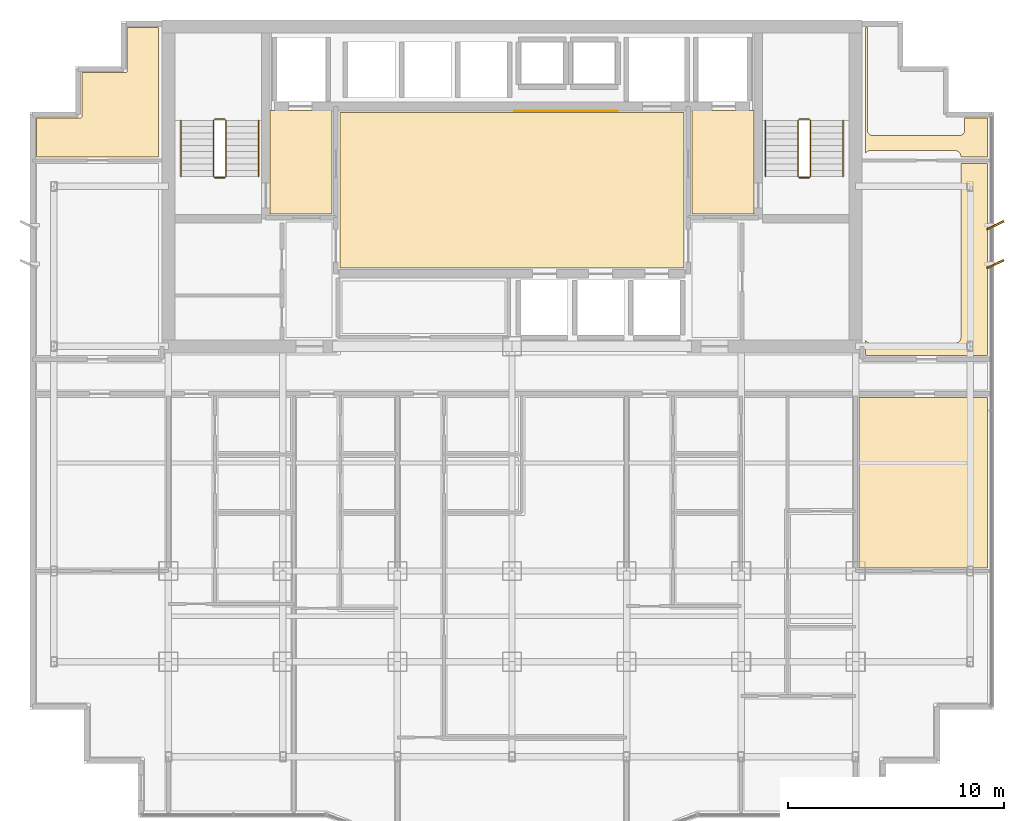
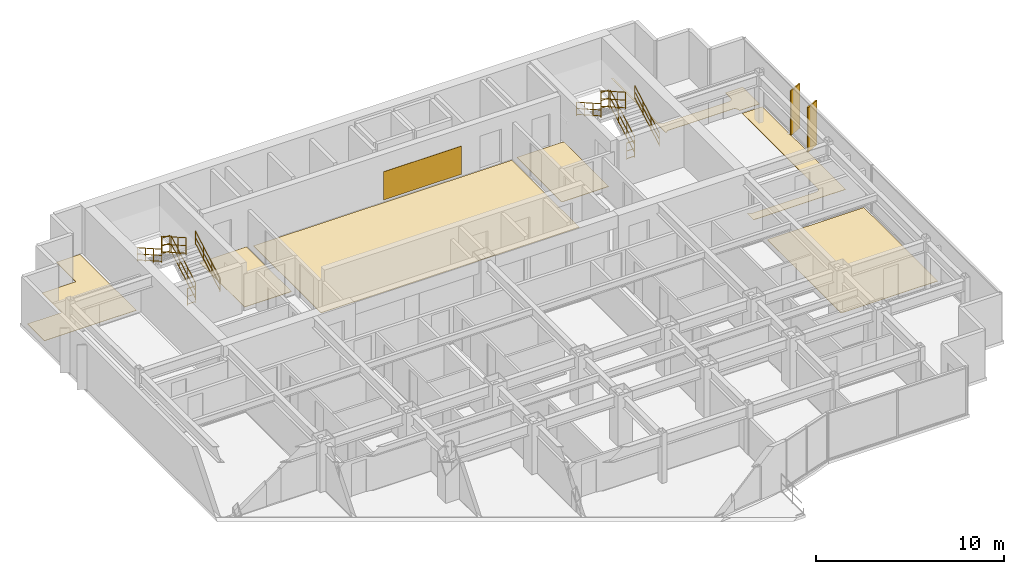
# One storey, part 13 of 13: 12 railings, 8 coverings, 2 shading devices.
"""IFC4 building model written with IfcOpenShell, lengths in metres."""

import ifcopenshell
import ifcopenshell.guid

model = None  # the IFC model being written
_history = None  # IfcOwnerHistory: only IFC2X3 demands one
_inside = {}  # id of a spatial element -> (the spatial element, [elements in it])
_under = {}  # id of a project, library or spatial element -> (it, [spatial elements below it])
_declared = {}  # id of a project -> (the project, [libraries it declares])
_typed = {}  # id of a type object -> (the type object, [elements of that type])
_made_of = {}  # id of a material, layer set ... -> (it, [elements and type objects made of it])


def new_model(schema):
    """Start an empty IFC model of exactly this schema.

    Asked for "IFC4X3", IfcOpenShell would pick the latest addendum, in which some entities
    have other attributes; the version numbers below select the first issue.
    IFC2X3 requires an IfcOwnerHistory on every rooted entity: one is made here for all.
    """
    global model, _history
    if schema == "IFC4X3":
        model = ifcopenshell.file(schema_version=(4, 3, 0, 0))
    else:
        model = ifcopenshell.file(schema=schema)
    _inside.clear()
    _under.clear()
    _declared.clear()
    _typed.clear()
    _made_of.clear()
    _history = None
    if model.schema == "IFC2X3":
        org = make("IfcOrganization", Name="unknown")
        user = make(
            "IfcPersonAndOrganization",
            ThePerson=make("IfcPerson", FamilyName="unknown"),
            TheOrganization=org,
        )
        app = make(
            "IfcApplication",
            ApplicationDeveloper=org,
            Version="unknown",
            ApplicationFullName="unknown",
            ApplicationIdentifier="unknown",
        )
        _history = make(
            "IfcOwnerHistory",
            OwningUser=user,
            OwningApplication=app,
            ChangeAction="ADDED",
            CreationDate=0,
        )
    return model


def make(cls, **values):
    """One entity of the class cls with the attributes given. An attribute that is None is left unset."""
    return model.create_entity(
        cls, **{name: value for name, value in values.items() if value is not None}
    )


def rooted(cls, **values):
    """An entity with a GlobalId (a new one), such as an element, a storey or a relation."""
    return make(cls, GlobalId=ifcopenshell.guid.new(), OwnerHistory=_history, **values)


def si_unit(unit_type, name, prefix=None):
    """IfcSIUnit, for example si_unit("LENGTHUNIT", "METRE", prefix="MILLI")."""
    return make("IfcSIUnit", UnitType=unit_type, Prefix=prefix, Name=name)


def assignment(units):
    """IfcUnitAssignment: the units of a project."""
    return None if units is None else make("IfcUnitAssignment", Units=units)


def point(xyz):
    """IfcCartesianPoint."""
    return None if xyz is None else make("IfcCartesianPoint", Coordinates=xyz)


def direction(xyz):
    """IfcDirection."""
    return None if xyz is None else make("IfcDirection", DirectionRatios=xyz)


def frame(location, z_axis=None, x_axis=None):
    """IfcAxis2Placement3D, a coordinate frame: its origin and axes. An axis left out is left unset."""
    return make(
        "IfcAxis2Placement3D",
        Location=point(location),
        Axis=direction(z_axis),
        RefDirection=direction(x_axis),
    )


def frame_2d(location, x_axis=None):
    """IfcAxis2Placement2D, a coordinate frame in the plane: its origin and x axis."""
    return make(
        "IfcAxis2Placement2D", Location=point(location), RefDirection=direction(x_axis)
    )


def origin():
    """The frame at (0, 0, 0) with its axes left unset."""
    return frame((0.0, 0.0, 0.0))


def origin_2d():
    """The frame at (0, 0) in the plane with its x axis left unset."""
    return frame_2d((0.0, 0.0))


def place(relative_to, where):
    """IfcLocalPlacement: puts the frame where relative to a parent placement (None: the world)."""
    return make(
        "IfcLocalPlacement", PlacementRelTo=relative_to, RelativePlacement=where
    )


def context(
    kind, dimensions, precision=None, world=None, true_north=None, identifier=None
):
    """IfcGeometricRepresentationContext, for example the 3D "Model" context."""
    return make(
        "IfcGeometricRepresentationContext",
        ContextIdentifier=identifier,
        ContextType=kind,
        CoordinateSpaceDimension=dimensions,
        Precision=precision,
        WorldCoordinateSystem=world,
        TrueNorth=true_north,
    )


def subcontext(parent, identifier, kind, view, scale=None):
    """IfcGeometricRepresentationSubContext, for example "Body" below "Model"."""
    return make(
        "IfcGeometricRepresentationSubContext",
        ContextIdentifier=identifier,
        ContextType=kind,
        ParentContext=parent,
        TargetScale=scale,
        TargetView=view,
    )


def project(units=None, contexts=None):
    """IfcProject with its units and contexts."""
    return rooted(
        "IfcProject",
        Name="project",
        RepresentationContexts=contexts,
        UnitsInContext=assignment(units),
    )


def spatial(cls, under=None, at=None, **own):
    """A site, building, storey or space (cls), placed at a placement, below another one or the project."""
    s = rooted(cls, ObjectPlacement=at, **own)
    if under is not None:
        _under.setdefault(under.id(), (under, []))[1].append(s)
    return s


def polyline(points):
    """IfcPolyline through the points."""
    return make("IfcPolyline", Points=[point(p) for p in points])


def profile(cls, at=None, kind="AREA", **sizes):
    """A parametric profile (cls). Its sizes go by their IFC names, for example OverallWidth=200.0."""
    return make(cls, ProfileType=kind, Position=at, **sizes)


def rectangle(**sizes):
    """IfcRectangleProfileDef."""
    return profile("IfcRectangleProfileDef", **sizes)


def circle(**sizes):
    """IfcCircleProfileDef."""
    return profile("IfcCircleProfileDef", **sizes)


def outline(outer, holes=None, kind="AREA"):
    """IfcArbitraryClosedProfileDef: a profile drawn as a closed curve; with holes, ...WithVoids."""
    if holes is None:
        return make("IfcArbitraryClosedProfileDef", ProfileType=kind, OuterCurve=outer)
    return make(
        "IfcArbitraryProfileDefWithVoids",
        ProfileType=kind,
        OuterCurve=outer,
        InnerCurves=holes,
    )


def extrude(swept, where, along, depth):
    """IfcExtrudedAreaSolid: the profile swept, set in the frame where, extruded along a direction by depth."""
    return make(
        "IfcExtrudedAreaSolid",
        SweptArea=swept,
        Position=where,
        ExtrudedDirection=direction(along),
        Depth=depth,
    )


def shape(context_of_items, identifier, shape_type, items):
    """IfcShapeRepresentation: the items that make up one representation, for example the "Body"."""
    return make(
        "IfcShapeRepresentation",
        ContextOfItems=context_of_items,
        RepresentationIdentifier=identifier,
        RepresentationType=shape_type,
        Items=items,
    )


def source(mapping_origin, context_of_items, identifier, shape_type, items):
    """IfcRepresentationMap: a shape defined once, which mapped items show again and again."""
    return make(
        "IfcRepresentationMap",
        MappingOrigin=mapping_origin,
        MappedRepresentation=shape(context_of_items, identifier, shape_type, items),
    )


def transform(
    local_origin,
    x_axis=None,
    y_axis=None,
    z_axis=None,
    scale=None,
    scale2=None,
    scale3=None,
    uniform=True,
):
    """IfcCartesianTransformationOperator3D, or its non-uniform kind. x_axis, y_axis, z_axis: its Axis1, 2, 3."""
    if uniform:
        return make(
            "IfcCartesianTransformationOperator3D",
            Axis1=direction(x_axis),
            Axis2=direction(y_axis),
            LocalOrigin=point(local_origin),
            Scale=scale,
            Axis3=direction(z_axis),
        )
    return make(
        "IfcCartesianTransformationOperator3DnonUniform",
        Axis1=direction(x_axis),
        Axis2=direction(y_axis),
        LocalOrigin=point(local_origin),
        Scale=scale,
        Axis3=direction(z_axis),
        Scale2=scale2,
        Scale3=scale3,
    )


def mapped(mapping_source, mapping_target):
    """IfcMappedItem: shows the shape of a source again, moved by a transform."""
    return make(
        "IfcMappedItem", MappingSource=mapping_source, MappingTarget=mapping_target
    )


def material(Name=None, Category=None):
    """IfcMaterial."""
    return make("IfcMaterial", Name=Name, Category=Category)


def layer(
    of_material, thickness, ventilated=None, Name=None, Category=None, Priority=None
):
    """IfcMaterialLayer: one layer of a wall or slab, of a material (None: an air gap)."""
    return make(
        "IfcMaterialLayer",
        Material=of_material,
        LayerThickness=thickness,
        IsVentilated=ventilated,
        Name=Name,
        Category=Category,
        Priority=Priority,
    )


def layer_set(layers, Name=None):
    """IfcMaterialLayerSet."""
    return make("IfcMaterialLayerSet", MaterialLayers=layers, LayerSetName=Name)


def made_of(thing, what):
    """Note that an element or type object is made of a material, layer set ...; save() writes the relation."""
    if what is not None:
        _made_of.setdefault(what.id(), (what, []))[1].append(thing)
    return thing


def type_object(cls, material=None, **own):
    """A type object (cls), such as IfcWallType, which elements share."""
    return made_of(rooted(cls, **own), material)


def element(
    cls,
    number,
    at=None,
    inside=None,
    cuts=None,
    type_object=None,
    material=None,
    context=None,
    identifier="Body",
    shape_type=None,
    held_by="IfcProductDefinitionShape",
    body=None,
    shapes=None,
    **own,
):
    """One element of the class cls, such as IfcWall. Its Tag is "e" and its number.

    at: its placement. inside: the storey or other place that contains it. cuts: it is an
    opening in that element (IfcRelVoidsElement). A single representation is given by context,
    identifier, shape_type and body (its items); several are given by shapes. held_by: the class
    of the entity that holds the representations. save() writes the other relations.
    """
    e = rooted(cls, Tag="e%d" % number, ObjectPlacement=at, **own)
    if body is not None:
        shapes = [shape(context, identifier, shape_type, body)]
    if shapes is not None:
        e.Representation = make(held_by, Representations=shapes)
    if inside is not None:
        _inside.setdefault(inside.id(), (inside, []))[1].append(e)
    if cuts is not None:
        rooted(
            "IfcRelVoidsElement", RelatingBuildingElement=cuts, RelatedOpeningElement=e
        )
    if type_object is not None:
        _typed.setdefault(type_object.id(), (type_object, []))[1].append(e)
    return made_of(e, material)


def aggregate(whole, parts):
    """IfcRelAggregates: a whole, such as a stair, and the parts it consists of."""
    return rooted("IfcRelAggregates", RelatingObject=whole, RelatedObjects=parts)


def save(model, path):
    """Write the relations noted so far, then the file.

    IfcRelAggregates (storeys below a building ...), IfcRelContainedInSpatialStructure (elements
    in a storey), IfcRelDefinesByType, IfcRelAssociatesMaterial and IfcRelDeclares: one each for
    every whole, place, type object, material and project.
    """
    for whole, parts in _under.values():
        aggregate(whole, parts)
    for where, things in _inside.values():
        rooted(
            "IfcRelContainedInSpatialStructure",
            RelatedElements=things,
            RelatingStructure=where,
        )
    for kind, things in _typed.values():
        rooted("IfcRelDefinesByType", RelatedObjects=things, RelatingType=kind)
    for what, things in _made_of.values():
        rooted("IfcRelAssociatesMaterial", RelatedObjects=things, RelatingMaterial=what)
    for by, libraries in _declared.values():
        rooted("IfcRelDeclares", RelatingContext=by, RelatedDefinitions=libraries)
    model.write(path)


model = new_model("IFC4")

# Units and contexts
model_context = context("Model", 3, precision=1e-05, world=origin(), true_north=direction((0.0, 1.0)))
body_context = subcontext(model_context, "Body", "Model", "MODEL_VIEW")
ifc_project = project(units=[si_unit("LENGTHUNIT", "METRE"), si_unit("AREAUNIT", "SQUARE_METRE"), si_unit("VOLUMEUNIT", "CUBIC_METRE"), si_unit("PLANEANGLEUNIT", "RADIAN"), si_unit("MASSUNIT", "GRAM", prefix="KILO")], contexts=[model_context])

# Site, building, storey
site_placement = place(None, origin())
site = spatial("IfcSite", under=ifc_project, at=site_placement, CompositionType="ELEMENT")
building_placement = place(site_placement, origin())
building = spatial("IfcBuilding", under=site, at=building_placement, Name="Qianlan Lanfeng Residences", CompositionType="ELEMENT")
storey_placement = place(building_placement, frame((0.0, 0.0, 139.199951171875)))
storey = spatial("IfcBuildingStorey", under=building, at=storey_placement, Name="L37", CompositionType="ELEMENT", Elevation=139.199951171875)

# Coverings
ifc_material_1 = material(Name="Anodised Bronze Feature Wall Cladding")
ifc_layer_1 = layer(ifc_material_1, 0.02490234375)
ifc_layer_set_1 = layer_set([ifc_layer_1], Name="Anodised Bronze Feature Wall Cladding")
covering_type_1 = type_object("IfcCoveringType", Name="CLD-BRZ-25", PredefinedType="CLADDING", material=ifc_layer_set_1)
covering_1_placement = place(storey_placement, frame((0.0, 0.0, 0.150146484375)))
element("IfcCovering", 1, at=covering_1_placement, inside=storey, type_object=covering_type_1, Name="L37 Lift Lobby Bronze Feature Cladding", PredefinedType="CLADDING", context=body_context, shape_type="SweptSolid", body=[
    extrude(outline(polyline([(26.60009765625, 36.074951171875), (31.39990234375, 36.074951171875), (31.39990234375, 36.10009765625), (26.60009765625, 36.10009765625), (26.60009765625, 36.074951171875)])), origin(), (0.0, 0.0, 1.0), 1.829833984375),
])
ifc_material_2 = material(Name="Honed Taitung Granite Stone Flooring", Category="masonry")
ifc_layer_2 = layer(ifc_material_2, 0.030029296875)
ifc_layer_set_2 = layer_set([ifc_layer_2], Name="Honed Taitung Granite Stone Flooring")
covering_type_2 = type_object("IfcCoveringType", Name="FLR-STN-30", PredefinedType="FLOORING", material=ifc_layer_set_2)
covering_2_placement = place(storey_placement, origin())
element("IfcCovering", 2, at=covering_2_placement, inside=storey, type_object=covering_type_2, Name="L37 Firefighting Lift Lobby Floor Finish", PredefinedType="FLOORING", context=body_context, shape_type="SweptSolid", body=[
    extrude(outline(polyline([(15.2900390625, 31.320068359375), (18.179931640625, 31.320068359375), (18.179931640625, 36.110107421875), (15.2900390625, 36.110107421875), (15.2900390625, 31.320068359375)])), origin(), (0.0, 0.0, 1.0), 0.030029296875),
])
covering_3_placement = place(storey_placement, origin())
element("IfcCovering", 3, at=covering_3_placement, inside=storey, type_object=covering_type_2, Name="L37 Firefighting Lift Lobby Floor Finish", PredefinedType="FLOORING", context=body_context, shape_type="SweptSolid", body=[
    extrude(outline(polyline([(34.820068359375, 31.320068359375), (37.7099609375, 31.320068359375), (37.7099609375, 36.110107421875), (34.820068359375, 36.110107421875), (34.820068359375, 31.320068359375)])), origin(), (0.0, 0.0, 1.0), 0.030029296875),
])
covering_4_placement = place(storey_placement, origin())
element("IfcCovering", 4, at=covering_4_placement, inside=storey, type_object=covering_type_2, Name="L37 Lift Lobby Floor Finish", PredefinedType="FLOORING", context=body_context, shape_type="SweptSolid", body=[
    extrude(outline(polyline([(18.550048828125, 28.820068359375), (34.449951171875, 28.820068359375), (34.449951171875, 36.010009765625), (18.550048828125, 36.010009765625), (18.550048828125, 28.820068359375)])), origin(), (0.0, 0.0, 1.0), 0.030029296875),
])
ifc_material_3 = material(Name="Engineered Smoked Oak Timber Flooring", Category="wood")
ifc_layer_3 = layer(ifc_material_3, 0.02197265625)
ifc_layer_set_3 = layer_set([ifc_layer_3], Name="Engineered Smoked Oak Timber Flooring")
covering_type_3 = type_object("IfcCoveringType", Name="FLR-TIM-22", PredefinedType="FLOORING", material=ifc_layer_set_3)
covering_5_placement = place(storey_placement, origin())
element("IfcCovering", 5, at=covering_5_placement, inside=storey, type_object=covering_type_3, Name="L37 Private Study Floor Finish", PredefinedType="FLOORING", context=body_context, shape_type="SweptSolid", body=[
    extrude(outline(polyline([(48.510009765625, 22.830078125), (42.56005859375, 22.830078125), (42.56005859375, 14.949951171875), (48.510009765625, 14.949951171875), (48.510009765625, 22.830078125)])), origin(), (0.0, 0.0, 1.0), 0.02197265625),
])
covering_6_placement = place(storey_placement, origin())
element("IfcCovering", 6, at=covering_6_placement, inside=storey, type_object=covering_type_3, Name="L37 Resident Lounge Floor Finish", PredefinedType="FLOORING", context=body_context, shape_type="SweptSolid", body=[
    extrude(outline(polyline([(4.489990234375, 33.949951171875), (10.14990234375, 33.949951171875), (10.14990234375, 39.9599609375), (8.68994140625, 39.9599609375), (8.68994140625, 37.929931640625), (8.68994140625, 37.923095703125), (8.68896484375, 37.916015625), (8.68701171875, 37.909912109375), (8.68505859375, 37.903076171875), (8.681884765625, 37.89697265625), (8.677978515625, 37.89111328125), (8.674072265625, 37.885986328125), (8.6689453125, 37.881103515625), (8.6640625, 37.8759765625), (8.658935546875, 37.8720703125), (8.653076171875, 37.867919921875), (8.64697265625, 37.864990234375), (8.639892578125, 37.863037109375), (8.634033203125, 37.861083984375), (8.626953125, 37.860107421875), (8.6201171875, 37.860107421875), (6.590087890625, 37.860107421875), (6.590087890625, 35.830078125), (6.590087890625, 35.822998046875), (6.589111328125, 35.81591796875), (6.5869140625, 35.81005859375), (6.5849609375, 35.802978515625), (6.58203125, 35.797119140625), (6.577880859375, 35.791015625), (6.573974609375, 35.785888671875), (6.569091796875, 35.781005859375), (6.56396484375, 35.77587890625), (6.55908203125, 35.77197265625), (6.552978515625, 35.76806640625), (6.547119140625, 35.764892578125), (6.5400390625, 35.762939453125), (6.533935546875, 35.760986328125), (6.527099609375, 35.760009765625), (6.52001953125, 35.760009765625), (4.489990234375, 35.760009765625), (4.489990234375, 33.949951171875)])), origin(), (0.0, 0.0, 1.0), 0.02197265625),
])
covering_7_placement = place(storey_placement, origin())
element("IfcCovering", 7, at=covering_7_placement, inside=storey, type_object=covering_type_3, Name="L37 Sky Lounge Floor Finish", PredefinedType="FLOORING", context=body_context, shape_type="SweptSolid", body=[
    extrude(outline(polyline([(48.510009765625, 33.64990234375), (47.27001953125, 33.64990234375), (47.27001953125, 25.60009765625), (47.26904296875, 25.574951171875), (47.264892578125, 25.551025390625), (47.259033203125, 25.527099609375), (47.2509765625, 25.50390625), (47.239990234375, 25.48193359375), (47.22802734375, 25.4609375), (47.212890625, 25.44091796875), (47.197021484375, 25.423095703125), (47.178955078125, 25.406982421875), (47.158935546875, 25.39208984375), (47.137939453125, 25.3798828125), (47.115966796875, 25.368896484375), (47.093017578125, 25.361083984375), (47.069091796875, 25.35498046875), (47.044921875, 25.35107421875), (47.02001953125, 25.35009765625), (43.080078125, 25.35009765625), (43.054931640625, 25.35107421875), (43.031005859375, 25.35498046875), (43.007080078125, 25.361083984375), (42.98388671875, 25.368896484375), (42.9619140625, 25.3798828125), (42.94091796875, 25.39208984375), (42.9208984375, 25.406982421875), (42.903076171875, 25.423095703125), (42.886962890625, 25.44091796875), (42.8720703125, 25.4609375), (42.860107421875, 25.48193359375), (42.85009765625, 25.501953125), (42.85009765625, 24.780029296875), (48.510009765625, 24.780029296875), (48.510009765625, 33.64990234375)])), origin(), (0.0, 0.0, 1.0), 0.02197265625),
])
covering_8_placement = place(storey_placement, origin())
element("IfcCovering", 8, at=covering_8_placement, inside=storey, type_object=covering_type_3, Name="L37 Resident Lounge Floor Finish", PredefinedType="FLOORING", context=body_context, shape_type="SweptSolid", body=[
    extrude(outline(polyline([(42.85009765625, 34.097900390625), (42.860107421875, 34.117919921875), (42.8720703125, 34.138916015625), (42.886962890625, 34.158935546875), (42.903076171875, 34.177001953125), (42.9208984375, 34.193115234375), (42.94091796875, 34.2080078125), (42.9619140625, 34.219970703125), (42.98388671875, 34.23095703125), (43.007080078125, 34.239013671875), (43.031005859375, 34.2451171875), (43.054931640625, 34.2490234375), (43.080078125, 34.25), (47.02001953125, 34.25), (47.044921875, 34.2490234375), (47.069091796875, 34.2451171875), (47.093017578125, 34.239013671875), (47.115966796875, 34.23095703125), (47.137939453125, 34.219970703125), (47.158935546875, 34.2080078125), (47.178955078125, 34.193115234375), (47.197021484375, 34.177001953125), (47.212890625, 34.158935546875), (47.22802734375, 34.138916015625), (47.239990234375, 34.117919921875), (47.2509765625, 34.095947265625), (47.259033203125, 34.072998046875), (47.264892578125, 34.049072265625), (47.26904296875, 34.02490234375), (47.27001953125, 34.0), (47.27001953125, 33.949951171875), (48.510009765625, 33.949951171875), (48.510009765625, 35.760009765625), (47.449951171875, 35.760009765625), (47.449951171875, 35.199951171875), (47.448974609375, 35.175048828125), (47.445068359375, 35.15087890625), (47.43896484375, 35.126953125), (47.430908203125, 35.10400390625), (47.419921875, 35.08203125), (47.407958984375, 35.06103515625), (47.39306640625, 35.041015625), (47.376953125, 35.02294921875), (47.35888671875, 35.007080078125), (47.339111328125, 34.991943359375), (47.318115234375, 34.97998046875), (47.2958984375, 34.968994140625), (47.27294921875, 34.9609375), (47.2490234375, 34.955078125), (47.22509765625, 34.950927734375), (47.199951171875, 34.949951171875), (43.199951171875, 34.949951171875), (43.175048828125, 34.950927734375), (43.15087890625, 34.955078125), (43.126953125, 34.9609375), (43.10400390625, 34.968994140625), (43.08203125, 34.97998046875), (43.06103515625, 34.991943359375), (43.041015625, 35.007080078125), (43.02294921875, 35.02294921875), (43.007080078125, 35.041015625), (42.991943359375, 35.06103515625), (42.97998046875, 35.08203125), (42.968994140625, 35.10400390625), (42.9609375, 35.126953125), (42.955078125, 35.15087890625), (42.950927734375, 35.175048828125), (42.949951171875, 35.199951171875), (42.949951171875, 39.9599609375), (42.85009765625, 39.9599609375), (42.85009765625, 34.097900390625)])), origin(), (0.0, 0.0, 1.0), 0.02197265625),
])

# Railings
ifc_material_4 = material(Name="Painted Galvanised Steel Guardrail", Category="steel")
railing_type_1 = type_object("IfcRailingType", Name="GR-ST-1120", PredefinedType="GUARDRAIL", material=ifc_material_4)
railing_1_placement = place(storey_placement, frame((13.27001953125, 33.050048828125, 0.1650390625)))
element("IfcRailing", 9, at=railing_1_placement, inside=storey, type_object=railing_type_1, Name="L37 ST-1 stair guard 1", PredefinedType="GUARDRAIL", context=body_context, shape_type="SweptSolid", body=[
    extrude(circle(Radius=0.02392578125, at=origin_2d()), frame((0.0, 0.0, 0.083984375), z_axis=(0.0, 0.869137319866, 0.494570843475), x_axis=(-1.0, 0.0, 0.0)), (0.0, 0.0, 1.0), 3.0029296875),
    extrude(circle(Radius=0.02392578125, at=origin_2d()), frame((0.0, 0.0, 0.58251953125), z_axis=(0.0, 0.869137319866, 0.494570843475), x_axis=(-1.0, 0.0, 0.0)), (0.0, 0.0, 1.0), 3.0029296875),
    extrude(circle(Radius=0.02392578125, at=origin_2d()), frame((0.0, 0.0, 1.09619140625), z_axis=(0.0, 0.869137319866, 0.494570843475), x_axis=(-1.0, 0.0, 0.0)), (0.0, 0.0, 1.0), 3.0029296875),
    extrude(circle(Radius=0.02099609375, at=origin_2d()), origin(), (0.0, 0.0, 1.0), 1.072021484375),
    extrude(circle(Radius=0.02099609375, at=origin_2d()), frame((0.0, 0.869873046875, 0.4951171875)), (0.0, 0.0, 1.0), 1.072021484375),
    extrude(circle(Radius=0.02099609375, at=origin_2d()), frame((0.0, 1.739990234375, 0.989990234375)), (0.0, 0.0, 1.0), 1.072021484375),
    extrude(circle(Radius=0.02099609375, at=origin_2d()), frame((0.0, 2.60986328125, 1.485107421875)), (0.0, 0.0, 1.0), 1.072021484375),
])
railing_2_placement = place(storey_placement, frame((13.219970703125, 35.7099609375, 1.650146484375)))
element("IfcRailing", 10, at=railing_2_placement, inside=storey, type_object=railing_type_1, Name="L37 ST-1 stair guard 2", PredefinedType="GUARDRAIL", context=body_context, shape_type="SweptSolid", body=[
    extrude(circle(Radius=0.02392578125, at=origin_2d()), frame((0.0, 0.0, 0.083984375), z_axis=(-1.0, 0.0, 0.0), x_axis=(0.0, -1.0, 0.0)), (0.0, 0.0, 1.0), 0.47998046875),
    extrude(circle(Radius=0.02392578125, at=origin_2d()), frame((0.0, 0.0, 0.58251953125), z_axis=(-1.0, 0.0, 0.0), x_axis=(0.0, -1.0, 0.0)), (0.0, 0.0, 1.0), 0.47998046875),
    extrude(circle(Radius=0.02392578125, at=origin_2d()), frame((0.0, 0.0, 1.09619140625), z_axis=(-1.0, 0.0, 0.0), x_axis=(0.0, -1.0, 0.0)), (0.0, 0.0, 1.0), 0.47998046875),
    extrude(circle(Radius=0.02099609375, at=origin_2d()), origin(), (0.0, 0.0, 1.0), 1.072021484375),
    extrude(circle(Radius=0.02099609375, at=origin_2d()), frame((-0.47998046875, 0.0, 0.0)), (0.0, 0.0, 1.0), 1.072021484375),
])
railing_3_placement = place(storey_placement, frame((12.68994140625, 35.659912109375, 1.81494140625)))
element("IfcRailing", 11, at=railing_3_placement, inside=storey, type_object=railing_type_1, Name="L37 ST-1 stair guard 3", PredefinedType="GUARDRAIL", context=body_context, shape_type="SweptSolid", body=[
    extrude(circle(Radius=0.02392578125, at=origin_2d()), frame((0.0, 0.0, 0.083984375), z_axis=(0.0, -0.869137319866, 0.494570843475), x_axis=(1.0, 0.0, 0.0)), (0.0, 0.0, 1.0), 3.0029296875),
    extrude(circle(Radius=0.02392578125, at=origin_2d()), frame((0.0, 0.0, 0.58251953125), z_axis=(0.0, -0.869137319866, 0.494570843475), x_axis=(1.0, 0.0, 0.0)), (0.0, 0.0, 1.0), 3.0029296875),
    extrude(circle(Radius=0.02392578125, at=origin_2d()), frame((0.0, 0.0, 1.09619140625), z_axis=(0.0, -0.869137319866, 0.494570843475), x_axis=(1.0, 0.0, 0.0)), (0.0, 0.0, 1.0), 3.0029296875),
    extrude(circle(Radius=0.02099609375, at=origin_2d()), origin(), (0.0, 0.0, 1.0), 1.072021484375),
    extrude(circle(Radius=0.02099609375, at=origin_2d()), frame((0.0, -0.869873046875, 0.4951171875)), (0.0, 0.0, 1.0), 1.072021484375),
    extrude(circle(Radius=0.02099609375, at=origin_2d()), frame((0.0, -1.739990234375, 0.989990234375)), (0.0, 0.0, 1.0), 1.072021484375),
    extrude(circle(Radius=0.02099609375, at=origin_2d()), frame((0.0, -2.60986328125, 1.485107421875)), (0.0, 0.0, 1.0), 1.072021484375),
])
railing_4_placement = place(storey_placement, frame((13.219970703125, 33.0, 0.0)))
element("IfcRailing", 12, at=railing_4_placement, inside=storey, type_object=railing_type_1, Name="L37 ST-1 stair guard 4", PredefinedType="GUARDRAIL", context=body_context, shape_type="SweptSolid", body=[
    extrude(circle(Radius=0.02392578125, at=origin_2d()), frame((0.0, 0.0, 0.083984375), z_axis=(-1.0, 0.0, 0.0), x_axis=(0.0, -1.0, 0.0)), (0.0, 0.0, 1.0), 0.47998046875),
    extrude(circle(Radius=0.02392578125, at=origin_2d()), frame((0.0, 0.0, 0.58251953125), z_axis=(-1.0, 0.0, 0.0), x_axis=(0.0, -1.0, 0.0)), (0.0, 0.0, 1.0), 0.47998046875),
    extrude(circle(Radius=0.02392578125, at=origin_2d()), frame((0.0, 0.0, 1.09619140625), z_axis=(-1.0, 0.0, 0.0), x_axis=(0.0, -1.0, 0.0)), (0.0, 0.0, 1.0), 0.47998046875),
    extrude(circle(Radius=0.02099609375, at=origin_2d()), origin(), (0.0, 0.0, 1.0), 1.072021484375),
    extrude(circle(Radius=0.02099609375, at=origin_2d()), frame((-0.47998046875, 0.0, 0.0)), (0.0, 0.0, 1.0), 1.072021484375),
])
railing_5_placement = place(storey_placement, frame((40.31005859375, 33.050048828125, 0.1650390625)))
element("IfcRailing", 13, at=railing_5_placement, inside=storey, type_object=railing_type_1, Name="L37 ST-2 stair guard 1", PredefinedType="GUARDRAIL", context=body_context, shape_type="SweptSolid", body=[
    extrude(circle(Radius=0.02392578125, at=origin_2d()), frame((0.0, 0.0, 0.083984375), z_axis=(0.0, 0.869137319866, 0.494570843475), x_axis=(-1.0, 0.0, 0.0)), (0.0, 0.0, 1.0), 3.0029296875),
    extrude(circle(Radius=0.02392578125, at=origin_2d()), frame((0.0, 0.0, 0.58251953125), z_axis=(0.0, 0.869137319866, 0.494570843475), x_axis=(-1.0, 0.0, 0.0)), (0.0, 0.0, 1.0), 3.0029296875),
    extrude(circle(Radius=0.02392578125, at=origin_2d()), frame((0.0, 0.0, 1.09619140625), z_axis=(0.0, 0.869137319866, 0.494570843475), x_axis=(-1.0, 0.0, 0.0)), (0.0, 0.0, 1.0), 3.0029296875),
    extrude(circle(Radius=0.02099609375, at=origin_2d()), origin(), (0.0, 0.0, 1.0), 1.072021484375),
    extrude(circle(Radius=0.02099609375, at=origin_2d()), frame((0.0, 0.869873046875, 0.4951171875)), (0.0, 0.0, 1.0), 1.072021484375),
    extrude(circle(Radius=0.02099609375, at=origin_2d()), frame((0.0, 1.739990234375, 0.989990234375)), (0.0, 0.0, 1.0), 1.072021484375),
    extrude(circle(Radius=0.02099609375, at=origin_2d()), frame((0.0, 2.60986328125, 1.485107421875)), (0.0, 0.0, 1.0), 1.072021484375),
])
railing_6_placement = place(storey_placement, frame((40.260009765625, 35.7099609375, 1.650146484375)))
element("IfcRailing", 14, at=railing_6_placement, inside=storey, type_object=railing_type_1, Name="L37 ST-2 stair guard 2", PredefinedType="GUARDRAIL", context=body_context, shape_type="SweptSolid", body=[
    extrude(circle(Radius=0.02392578125, at=origin_2d()), frame((0.0, 0.0, 0.083984375), z_axis=(-1.0, 0.0, 0.0), x_axis=(0.0, -1.0, 0.0)), (0.0, 0.0, 1.0), 0.47998046875),
    extrude(circle(Radius=0.02392578125, at=origin_2d()), frame((0.0, 0.0, 0.58251953125), z_axis=(-1.0, 0.0, 0.0), x_axis=(0.0, -1.0, 0.0)), (0.0, 0.0, 1.0), 0.47998046875),
    extrude(circle(Radius=0.02392578125, at=origin_2d()), frame((0.0, 0.0, 1.09619140625), z_axis=(-1.0, 0.0, 0.0), x_axis=(0.0, -1.0, 0.0)), (0.0, 0.0, 1.0), 0.47998046875),
    extrude(circle(Radius=0.02099609375, at=origin_2d()), origin(), (0.0, 0.0, 1.0), 1.072021484375),
    extrude(circle(Radius=0.02099609375, at=origin_2d()), frame((-0.47998046875, 0.0, 0.0)), (0.0, 0.0, 1.0), 1.072021484375),
])
railing_7_placement = place(storey_placement, frame((39.72998046875, 35.659912109375, 1.81494140625)))
element("IfcRailing", 15, at=railing_7_placement, inside=storey, type_object=railing_type_1, Name="L37 ST-2 stair guard 3", PredefinedType="GUARDRAIL", context=body_context, shape_type="SweptSolid", body=[
    extrude(circle(Radius=0.02392578125, at=origin_2d()), frame((0.0, 0.0, 0.083984375), z_axis=(0.0, -0.869137319866, 0.494570843475), x_axis=(1.0, 0.0, 0.0)), (0.0, 0.0, 1.0), 3.0029296875),
    extrude(circle(Radius=0.02392578125, at=origin_2d()), frame((0.0, 0.0, 0.58251953125), z_axis=(0.0, -0.869137319866, 0.494570843475), x_axis=(1.0, 0.0, 0.0)), (0.0, 0.0, 1.0), 3.0029296875),
    extrude(circle(Radius=0.02392578125, at=origin_2d()), frame((0.0, 0.0, 1.09619140625), z_axis=(0.0, -0.869137319866, 0.494570843475), x_axis=(1.0, 0.0, 0.0)), (0.0, 0.0, 1.0), 3.0029296875),
    extrude(circle(Radius=0.02099609375, at=origin_2d()), origin(), (0.0, 0.0, 1.0), 1.072021484375),
    extrude(circle(Radius=0.02099609375, at=origin_2d()), frame((0.0, -0.869873046875, 0.4951171875)), (0.0, 0.0, 1.0), 1.072021484375),
    extrude(circle(Radius=0.02099609375, at=origin_2d()), frame((0.0, -1.739990234375, 0.989990234375)), (0.0, 0.0, 1.0), 1.072021484375),
    extrude(circle(Radius=0.02099609375, at=origin_2d()), frame((0.0, -2.60986328125, 1.485107421875)), (0.0, 0.0, 1.0), 1.072021484375),
])
railing_8_placement = place(storey_placement, frame((40.260009765625, 33.0, 0.0)))
element("IfcRailing", 16, at=railing_8_placement, inside=storey, type_object=railing_type_1, Name="L37 ST-2 stair guard 4", PredefinedType="GUARDRAIL", context=body_context, shape_type="SweptSolid", body=[
    extrude(circle(Radius=0.02392578125, at=origin_2d()), frame((0.0, 0.0, 0.083984375), z_axis=(-1.0, 0.0, 0.0), x_axis=(0.0, -1.0, 0.0)), (0.0, 0.0, 1.0), 0.47998046875),
    extrude(circle(Radius=0.02392578125, at=origin_2d()), frame((0.0, 0.0, 0.58251953125), z_axis=(-1.0, 0.0, 0.0), x_axis=(0.0, -1.0, 0.0)), (0.0, 0.0, 1.0), 0.47998046875),
    extrude(circle(Radius=0.02392578125, at=origin_2d()), frame((0.0, 0.0, 1.09619140625), z_axis=(-1.0, 0.0, 0.0), x_axis=(0.0, -1.0, 0.0)), (0.0, 0.0, 1.0), 0.47998046875),
    extrude(circle(Radius=0.02099609375, at=origin_2d()), origin(), (0.0, 0.0, 1.0), 1.072021484375),
    extrude(circle(Radius=0.02099609375, at=origin_2d()), frame((-0.47998046875, 0.0, 0.0)), (0.0, 0.0, 1.0), 1.072021484375),
])
ifc_material_5 = material(Name="Brushed Stainless Steel Handrail", Category="steel")
railing_type_2 = type_object("IfcRailingType", Name="HR-ST-920", PredefinedType="HANDRAIL", material=ifc_material_5)
railing_9_placement = place(storey_placement, frame((14.77001953125, 33.050048828125, 0.1650390625)))
element("IfcRailing", 17, at=railing_9_placement, inside=storey, type_object=railing_type_2, Name="L37 ST-1 stair handrail 1", PredefinedType="HANDRAIL", context=body_context, shape_type="SweptSolid", body=[
    extrude(circle(Radius=0.02392578125, at=origin_2d()), frame((0.0, 0.0, 0.083984375), z_axis=(0.0, 0.869137319866, 0.494570843475), x_axis=(-1.0, 0.0, 0.0)), (0.0, 0.0, 1.0), 3.0029296875),
    extrude(circle(Radius=0.02392578125, at=origin_2d()), frame((0.0, 0.0, 0.468017578125), z_axis=(0.0, 0.869137319866, 0.494570843475), x_axis=(-1.0, 0.0, 0.0)), (0.0, 0.0, 1.0), 3.0029296875),
    extrude(circle(Radius=0.02392578125, at=origin_2d()), frame((0.0, 0.0, 0.8759765625), z_axis=(0.0, 0.869137319866, 0.494570843475), x_axis=(-1.0, 0.0, 0.0)), (0.0, 0.0, 1.0), 3.0029296875),
    extrude(circle(Radius=0.02099609375, at=origin_2d()), origin(), (0.0, 0.0, 1.0), 0.851806640625),
    extrude(circle(Radius=0.02099609375, at=origin_2d()), frame((0.0, 0.869873046875, 0.4951171875)), (0.0, 0.0, 1.0), 0.851806640625),
    extrude(circle(Radius=0.02099609375, at=origin_2d()), frame((0.0, 1.739990234375, 0.989990234375)), (0.0, 0.0, 1.0), 0.851806640625),
    extrude(circle(Radius=0.02099609375, at=origin_2d()), frame((0.0, 2.60986328125, 1.485107421875)), (0.0, 0.0, 1.0), 0.851806640625),
])
railing_10_placement = place(storey_placement, frame((11.18994140625, 35.659912109375, 1.81494140625)))
element("IfcRailing", 18, at=railing_10_placement, inside=storey, type_object=railing_type_2, Name="L37 ST-1 stair handrail 2", PredefinedType="HANDRAIL", context=body_context, shape_type="SweptSolid", body=[
    extrude(circle(Radius=0.02392578125, at=origin_2d()), frame((0.0, 0.0, 0.083984375), z_axis=(0.0, -0.869137319866, 0.494570843475), x_axis=(1.0, 0.0, 0.0)), (0.0, 0.0, 1.0), 3.0029296875),
    extrude(circle(Radius=0.02392578125, at=origin_2d()), frame((0.0, 0.0, 0.468017578125), z_axis=(0.0, -0.869137319866, 0.494570843475), x_axis=(1.0, 0.0, 0.0)), (0.0, 0.0, 1.0), 3.0029296875),
    extrude(circle(Radius=0.02392578125, at=origin_2d()), frame((0.0, 0.0, 0.8759765625), z_axis=(0.0, -0.869137319866, 0.494570843475), x_axis=(1.0, 0.0, 0.0)), (0.0, 0.0, 1.0), 3.0029296875),
    extrude(circle(Radius=0.02099609375, at=origin_2d()), origin(), (0.0, 0.0, 1.0), 0.851806640625),
    extrude(circle(Radius=0.02099609375, at=origin_2d()), frame((0.0, -0.869873046875, 0.4951171875)), (0.0, 0.0, 1.0), 0.851806640625),
    extrude(circle(Radius=0.02099609375, at=origin_2d()), frame((0.0, -1.739990234375, 0.989990234375)), (0.0, 0.0, 1.0), 0.851806640625),
    extrude(circle(Radius=0.02099609375, at=origin_2d()), frame((0.0, -2.60986328125, 1.485107421875)), (0.0, 0.0, 1.0), 0.851806640625),
])
railing_11_placement = place(storey_placement, frame((41.81005859375, 33.050048828125, 0.1650390625)))
element("IfcRailing", 19, at=railing_11_placement, inside=storey, type_object=railing_type_2, Name="L37 ST-2 stair handrail 1", PredefinedType="HANDRAIL", context=body_context, shape_type="SweptSolid", body=[
    extrude(circle(Radius=0.02392578125, at=origin_2d()), frame((0.0, 0.0, 0.083984375), z_axis=(0.0, 0.869137319866, 0.494570843475), x_axis=(-1.0, 0.0, 0.0)), (0.0, 0.0, 1.0), 3.0029296875),
    extrude(circle(Radius=0.02392578125, at=origin_2d()), frame((0.0, 0.0, 0.468017578125), z_axis=(0.0, 0.869137319866, 0.494570843475), x_axis=(-1.0, 0.0, 0.0)), (0.0, 0.0, 1.0), 3.0029296875),
    extrude(circle(Radius=0.02392578125, at=origin_2d()), frame((0.0, 0.0, 0.8759765625), z_axis=(0.0, 0.869137319866, 0.494570843475), x_axis=(-1.0, 0.0, 0.0)), (0.0, 0.0, 1.0), 3.0029296875),
    extrude(circle(Radius=0.02099609375, at=origin_2d()), origin(), (0.0, 0.0, 1.0), 0.851806640625),
    extrude(circle(Radius=0.02099609375, at=origin_2d()), frame((0.0, 0.869873046875, 0.4951171875)), (0.0, 0.0, 1.0), 0.851806640625),
    extrude(circle(Radius=0.02099609375, at=origin_2d()), frame((0.0, 1.739990234375, 0.989990234375)), (0.0, 0.0, 1.0), 0.851806640625),
    extrude(circle(Radius=0.02099609375, at=origin_2d()), frame((0.0, 2.60986328125, 1.485107421875)), (0.0, 0.0, 1.0), 0.851806640625),
])
railing_12_placement = place(storey_placement, frame((38.22998046875, 35.659912109375, 1.81494140625)))
element("IfcRailing", 20, at=railing_12_placement, inside=storey, type_object=railing_type_2, Name="L37 ST-2 stair handrail 2", PredefinedType="HANDRAIL", context=body_context, shape_type="SweptSolid", body=[
    extrude(circle(Radius=0.02392578125, at=origin_2d()), frame((0.0, 0.0, 0.083984375), z_axis=(0.0, -0.869137319866, 0.494570843475), x_axis=(1.0, 0.0, 0.0)), (0.0, 0.0, 1.0), 3.0029296875),
    extrude(circle(Radius=0.02392578125, at=origin_2d()), frame((0.0, 0.0, 0.468017578125), z_axis=(0.0, -0.869137319866, 0.494570843475), x_axis=(1.0, 0.0, 0.0)), (0.0, 0.0, 1.0), 3.0029296875),
    extrude(circle(Radius=0.02392578125, at=origin_2d()), frame((0.0, 0.0, 0.8759765625), z_axis=(0.0, -0.869137319866, 0.494570843475), x_axis=(1.0, 0.0, 0.0)), (0.0, 0.0, 1.0), 3.0029296875),
    extrude(circle(Radius=0.02099609375, at=origin_2d()), origin(), (0.0, 0.0, 1.0), 0.851806640625),
    extrude(circle(Radius=0.02099609375, at=origin_2d()), frame((0.0, -0.869873046875, 0.4951171875)), (0.0, 0.0, 1.0), 0.851806640625),
    extrude(circle(Radius=0.02099609375, at=origin_2d()), frame((0.0, -1.739990234375, 0.989990234375)), (0.0, 0.0, 1.0), 0.851806640625),
    extrude(circle(Radius=0.02099609375, at=origin_2d()), frame((0.0, -2.60986328125, 1.485107421875)), (0.0, 0.0, 1.0), 0.851806640625),
])

# Shading devices
ifc_material_6 = material(Name="Anodised Bronze Aluminium Solar Fin", Category="aluminium")
shading_device_type = type_object("IfcShadingDeviceType", Name="FIN-BRZ-850", PredefinedType="SHUTTER", material=ifc_material_6)
shared_shape = source(origin(), body_context, "Body", "SweptSolid", [
    extrude(rectangle(XDim=0.85009765625, YDim=0.080078125, at=origin_2d()), origin(), (0.0, 0.0, 1.0), 2.89990234375),
])
for number, where, z_axis, x_axis, name in (
    (21, (48.8701171875, 29.0, 0.0), (0.0, 0.0, 1.0), (0.898794046299, 0.438371146789, 0.0), "L37 Raked Bronze Solar Fin E1"),
    (22, (48.8701171875, 30.800048828125, 0.0), (0.0, 0.0, 1.0), (0.898794046299, 0.438371146789, 0.0), "L37 Raked Bronze Solar Fin E2"),
):
    element("IfcShadingDevice", number, at=place(storey_placement, frame(where, z_axis=z_axis, x_axis=x_axis)), inside=storey, type_object=shading_device_type, Name=name, PredefinedType="SHUTTER", context=body_context, shape_type="MappedRepresentation", body=[
        mapped(shared_shape, transform((0.0, 0.0, 0.0), scale=1.0)),
    ])

save(model, "model.ifc")
